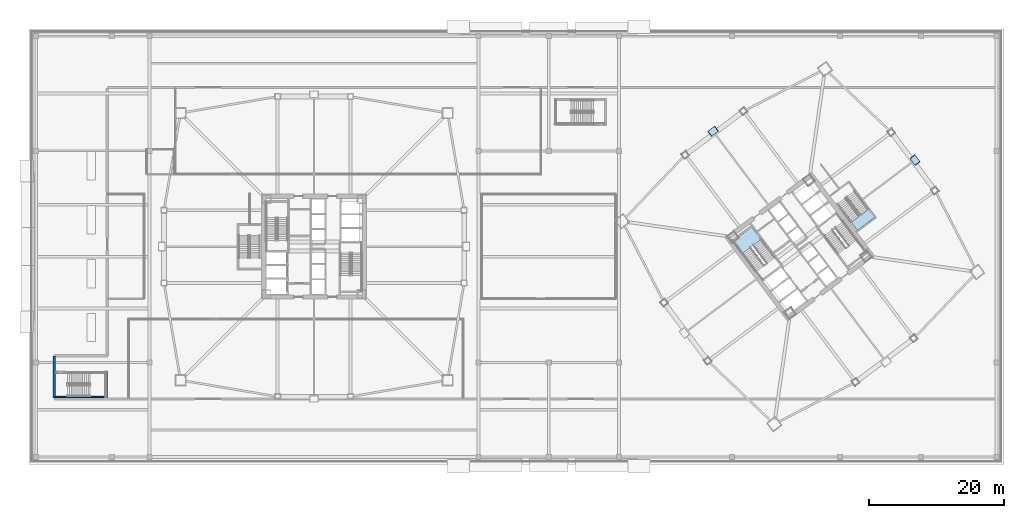
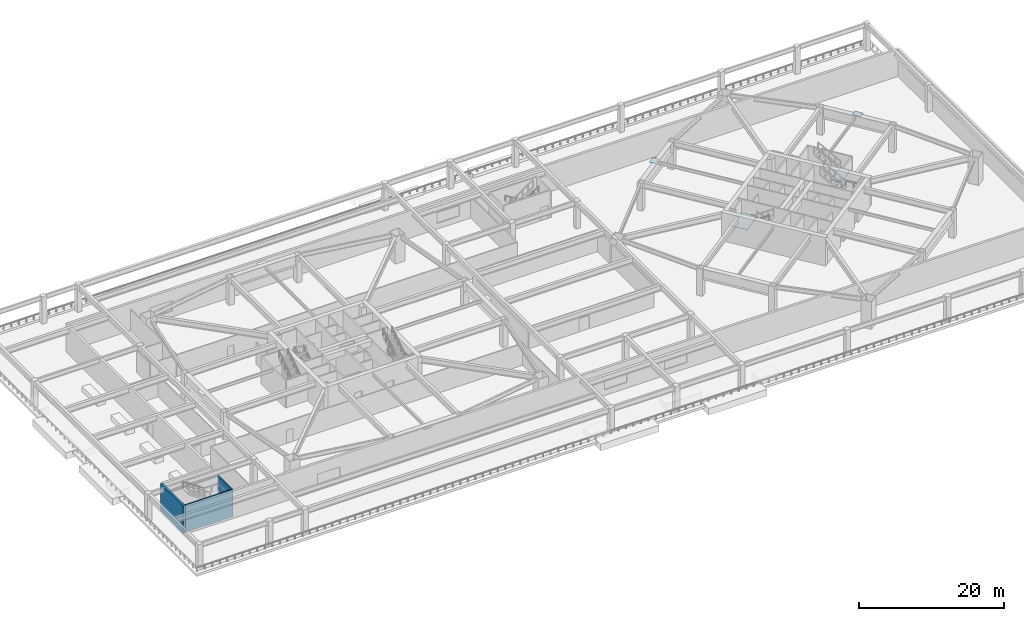
# One storey, part 5 of 21: 4 plates, 3 walls, 2 slabs, 2 elements without a shape of their own.
"""IFC4 building model written with IfcOpenShell, lengths in metres."""

from ifc_helpers import new_model, si_unit, direction, frame, frame_2d, origin, origin_2d, place, context, subcontext, project, spatial, polyline, rectangle, outline, extrude, material, layer, layer_set, type_object, element, aggregate, save


model = new_model("IFC4")

# Units and contexts
model_context = context("Model", 3, precision=1e-05, world=origin(), true_north=direction((0.0, 1.0)))
body_context = subcontext(model_context, "Body", "Model", "MODEL_VIEW")
ifc_project = project(units=[si_unit("LENGTHUNIT", "METRE"), si_unit("AREAUNIT", "SQUARE_METRE"), si_unit("VOLUMEUNIT", "CUBIC_METRE"), si_unit("PLANEANGLEUNIT", "RADIAN"), si_unit("MASSUNIT", "GRAM", prefix="KILO")], contexts=[model_context])

# Site, building, storey
site_placement = place(None, origin())
site = spatial("IfcSite", under=ifc_project, at=site_placement, CompositionType="ELEMENT")
building_placement = place(site_placement, origin())
building = spatial("IfcBuilding", under=site, at=building_placement, Name="Tashvorn Skyway Center", CompositionType="ELEMENT")
storey_placement = place(building_placement, frame((0.0, 0.0, 19.800048828125)))
storey = spatial("IfcBuildingStorey", under=building, at=storey_placement, Name="L04", CompositionType="ELEMENT", Elevation=19.800048828125)

# Plates
ifc_material_1 = material(Name="Steel ASTM A572 Grade 50", Category="steel")
ifc_layer_1 = layer(ifc_material_1, 0.034912109375)
ifc_layer_set_1 = layer_set([ifc_layer_1], Name="Steel ASTM A572 Grade 50")
plate_type_1 = type_object("IfcPlateType", Name="PLT-CAP-35", PredefinedType="USERDEFINED", material=ifc_layer_set_1)
for number, where, z_axis, x_axis, name in (
    (1, (131.10400390625, 44.827880859375, 4.50732421875), (0.0, 0.0, 1.0), (-0.600000004945, 0.799999996291, 0.0), "Tower 2 Zone 1 E Hollow-Section End Cap Plate"),
    (2, (101.172119140625, 49.10400390625, 4.50732421875), (0.0, 0.0, 1.0), (-0.799999996291, -0.600000004945, 0.0), "Tower 2 Zone 1 N Hollow-Section End Cap Plate"),
):
    element("IfcPlate", number, at=place(storey_placement, frame(where, z_axis=z_axis, x_axis=x_axis)), inside=storey, type_object=plate_type_1, Name=name, ObjectType="END PLATE", PredefinedType="USERDEFINED", context=body_context, shape_type="SweptSolid", body=[
        extrude(rectangle(XDim=1.199951171875, YDim=0.919921875, at=origin_2d()), origin(), (0.0, 0.0, 1.0), 0.034912109375),
    ])
ifc_layer_2 = layer(ifc_material_1, 0.044921875)
ifc_layer_set_2 = layer_set([ifc_layer_2], Name="Steel ASTM A572 Grade 50")
plate_type_2 = type_object("IfcPlateType", Name="PLT-GUSSET-45", PredefinedType="USERDEFINED", material=ifc_layer_set_2)
for number, where, z_axis, x_axis, name in (
    (3, (131.10400390625, 44.827880859375, 4.54248046875), (0.0, 0.0, 1.0), (-0.600000004945, 0.799999996291, 0.0), "Tower 2 Zone 1 E Apex Node Gusset Plate"),
    (4, (101.172119140625, 49.10400390625, 4.54248046875), (0.0, 0.0, 1.0), (-0.799999996291, -0.600000004945, 0.0), "Tower 2 Zone 1 N Apex Node Gusset Plate"),
):
    element("IfcPlate", number, at=place(storey_placement, frame(where, z_axis=z_axis, x_axis=x_axis)), inside=storey, type_object=plate_type_2, Name=name, ObjectType="GUSSET PLATE", PredefinedType="USERDEFINED", context=body_context, shape_type="SweptSolid", body=[
        extrude(rectangle(XDim=1.35009765625, YDim=0.949951171875, at=origin_2d()), origin(), (0.0, 0.0, 1.0), 0.044921875),
    ])

# Stair, slab
ifc_material_2 = material(Name="Concrete C40/50", Category="concrete")
stair_type = type_object("IfcStairType", Name="STAIR-CORE-1500", PredefinedType="HALF_TURN_STAIR", material=ifc_material_2)
stair_1_placement = place(storey_placement, origin())
stair_1 = element("IfcStair", 5, at=stair_1_placement, inside=storey, type_object=stair_type, Name="L04 Tower 2 Exit Stair 1", PredefinedType="HALF_TURN_STAIR")
ifc_layer_3 = layer(ifc_material_2, 0.199951171875)
ifc_layer_set_3 = layer_set([ifc_layer_3], Name="Concrete C40/50")
slab_type = type_object("IfcSlabType", Name="SLAB-LAND-200", PredefinedType="LANDING", material=ifc_layer_set_3)
slab_1_placement = place(storey_placement, frame((0.0, 0.0, 2.199951171875)))
slab_1 = element("IfcSlab", 6, at=slab_1_placement, type_object=slab_type, Name="ST-T2-1 landing 1", PredefinedType="LANDING", context=body_context, shape_type="SweptSolid", body=[
    extrude(outline(polyline([(108.31689453125, 33.07763671875), (106.919921875, 34.93994140625), (104.135986328125, 32.85205078125), (105.53271484375, 30.989501953125), (108.31689453125, 33.07763671875)])), origin(), (0.0, 0.0, 1.0), 0.199951171875),
])
aggregate(stair_1, [slab_1])

stair_2_placement = place(storey_placement, origin())
stair_2 = element("IfcStair", 7, at=stair_2_placement, inside=storey, type_object=stair_type, Name="L04 Tower 2 Exit Stair 3", PredefinedType="HALF_TURN_STAIR")
slab_2_placement = place(storey_placement, frame((0.0, 0.0, 2.199951171875)))
slab_2 = element("IfcSlab", 8, at=slab_2_placement, type_object=slab_type, Name="ST-T2-3 landing 1", PredefinedType="LANDING", context=body_context, shape_type="SweptSolid", body=[
    extrude(outline(polyline([(121.627197265625, 35.63037109375), (122.5439453125, 34.407958984375), (125.10400390625, 36.327880859375), (124.187255859375, 37.55029296875), (121.627197265625, 35.63037109375)])), origin(), (0.0, 0.0, 1.0), 0.199951171875),
])
aggregate(stair_2, [slab_2])

# Walls
ifc_material_3 = material(Name="Precast concrete C40/50", Category="concrete")
ifc_layer_4 = layer(ifc_material_3, 0.35009765625)
ifc_layer_set_4 = layer_set([ifc_layer_4], Name="Precast concrete C40/50")
wall_type_1 = type_object("IfcWallType", Name="WALL-EXT-350", PredefinedType="SOLIDWALL", material=ifc_layer_set_4)
wall_1_placement = place(storey_placement, frame((3.5, 9.574951171875, 0.0), z_axis=(0.0, 0.0, 1.0), x_axis=(0.0, 1.0, 0.0)))
element("IfcWall", 9, at=wall_1_placement, inside=storey, type_object=wall_type_1, Name="L04 Stair Pavilion West Wall", PredefinedType="SOLIDWALL", context=body_context, shape_type="SweptSolid", body=[
    extrude(rectangle(XDim=6.22509765625, YDim=0.35009765625, at=frame_2d((3.112548828125, 0.0))), origin(), (0.0, 0.0, 1.0), 4.599853515625),
])
ifc_layer_5 = layer(ifc_material_2, 0.199951171875)
ifc_layer_set_5 = layer_set([ifc_layer_5], Name="Concrete C40/50")
wall_type_2 = type_object("IfcWallType", Name="WALL-STSHF-200", PredefinedType="SHEAR", material=ifc_layer_set_5)
wall_2_placement = place(storey_placement, frame((3.60009765625, 9.699951171875, 0.0), z_axis=(0.0, 0.0, 1.0), x_axis=(1.0, 0.0, 0.0)))
element("IfcWall", 10, at=wall_2_placement, inside=storey, type_object=wall_type_2, Name="L04 Podium Stair 1 South Wall", PredefinedType="SHEAR", context=body_context, shape_type="SweptSolid", body=[
    extrude(rectangle(XDim=7.699951171875, YDim=0.199951171875, at=frame_2d((3.85009765625, 0.0))), origin(), (0.0, 0.0, 1.0), 4.599853515625),
])
wall_3_placement = place(storey_placement, frame((11.199951171875, 9.60009765625, 0.0), z_axis=(0.0, 0.0, 1.0), x_axis=(0.0, 1.0, 0.0)))
element("IfcWall", 11, at=wall_3_placement, inside=storey, type_object=wall_type_2, Name="L04 Podium Stair 1 East Wall", PredefinedType="SHEAR", context=body_context, shape_type="SweptSolid", body=[
    extrude(rectangle(XDim=3.89990234375, YDim=0.199951171875, at=frame_2d((1.949951171875, 0.0))), origin(), (0.0, 0.0, 1.0), 4.599853515625),
])

save(model, "model.ifc")
